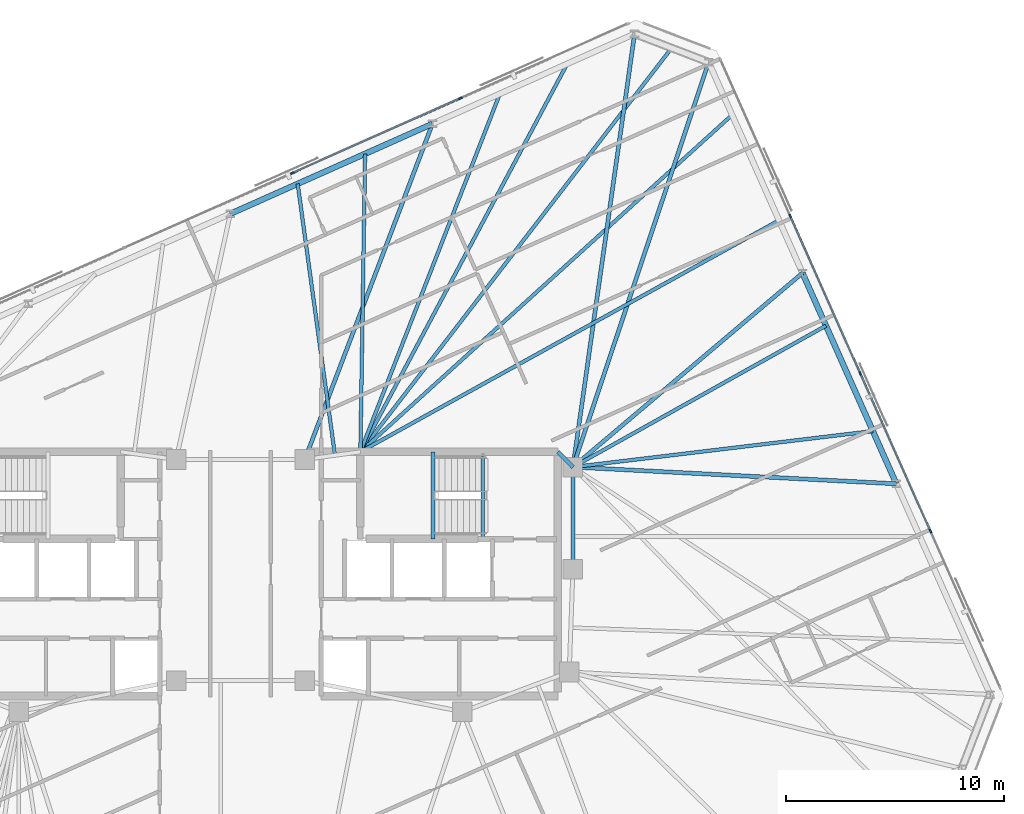
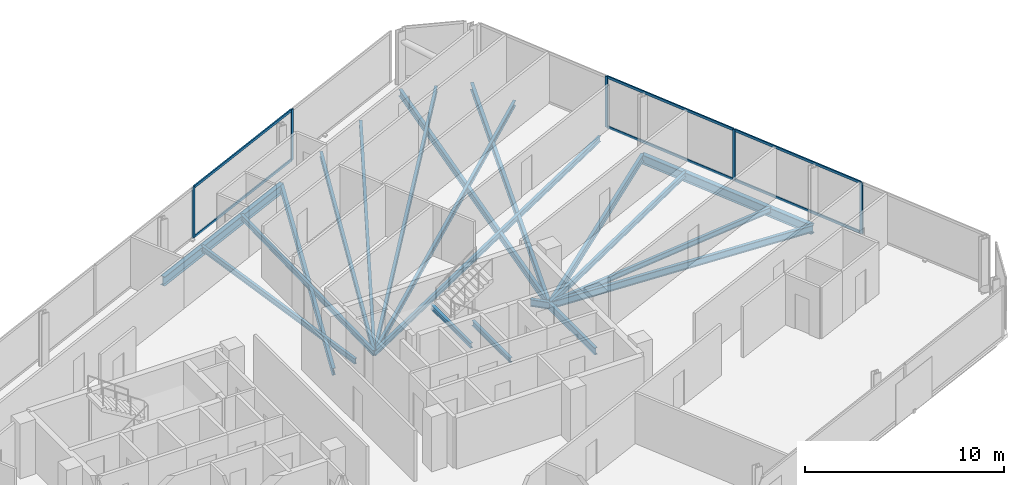
# One storey, part 10 of 19: 20 beams, 11 members, 2 elements without a shape of their own.
"""IFC4 building model written with IfcOpenShell, lengths in metres."""

from ifc_helpers import new_model, si_unit, direction, frame, origin, origin_2d, place, context, subcontext, project, spatial, rectangle, i_section, extrude, material, material_profile, profile_set, type_object, element, aggregate, save


model = new_model("IFC4")

# Units and contexts
model_context = context("Model", 3, precision=1e-05, world=origin(), true_north=direction((0.0, 1.0)))
body_context = subcontext(model_context, "Body", "Model", "MODEL_VIEW")
ifc_project = project(units=[si_unit("LENGTHUNIT", "METRE"), si_unit("AREAUNIT", "SQUARE_METRE"), si_unit("VOLUMEUNIT", "CUBIC_METRE"), si_unit("PLANEANGLEUNIT", "RADIAN"), si_unit("MASSUNIT", "GRAM", prefix="KILO")], contexts=[model_context])

# Site, building, storey
site_placement = place(None, origin())
site = spatial("IfcSite", under=ifc_project, at=site_placement, CompositionType="ELEMENT")
building_placement = place(site_placement, origin())
building = spatial("IfcBuilding", under=site, at=building_placement, Name="Menara Jurai Vektor", CompositionType="ELEMENT")
storey_placement = place(building_placement, frame((0.0, 0.0, 262.199951171875)))
storey = spatial("IfcBuildingStorey", under=building, at=storey_placement, Name="L70", CompositionType="ELEMENT", Elevation=262.199951171875)

# Curtain wall, members
ifc_material_1 = material(Name="Anodised Pale Aluminium & Low-E Double Glazing", Category="aluminium")
curtain_wall_type = type_object("IfcCurtainWallType", Name="CW-BLK5", PredefinedType="NOTDEFINED", material=ifc_material_1)
curtain_wall_1_placement = place(storey_placement, origin())
curtain_wall_1 = element("IfcCurtainWall", 1, at=curtain_wall_1_placement, inside=storey, type_object=curtain_wall_type, Name="Unitised Curtain Wall L70 F03", PredefinedType="NOTDEFINED")
ifc_material_2 = material(Name="Anodised Pale Aluminium Mullion", Category="aluminium")
ifc_material_profile_1 = material_profile(ifc_material_2, rectangle(XDim=0.074951171875, YDim=0.175048828125, at=origin_2d()), Name="ALU MUL 75x175")
ifc_profile_set_1 = profile_set([ifc_material_profile_1], Name="Anodised Pale Aluminium Mullion")
member_type_1 = type_object("IfcMemberType", Name="CW-BLK5-MUL", PredefinedType="MULLION", material=ifc_profile_set_1)
member_1_placement = place(storey_placement, frame((31.6533203125, 1.9658203125, 0.0), z_axis=(0.0, 0.0, 1.0), x_axis=(-0.913546127706, -0.406735138086, 0.0)))
member_1 = element("IfcMember", 2, at=member_1_placement, type_object=member_type_1, Name="CW-05 mullion 2", PredefinedType="MULLION", context=body_context, shape_type="SweptSolid", body=[
    extrude(rectangle(XDim=0.074951171875, YDim=0.175048828125, at=origin_2d()), origin(), (0.0, 0.0, 1.0), 3.125),
])
member_2_placement = place(storey_placement, frame((28.43603515625, 9.19189453125, 0.0), z_axis=(0.0, 0.0, 1.0), x_axis=(-0.913546127706, -0.406735138086, 0.0)))
member_2 = element("IfcMember", 3, at=member_2_placement, type_object=member_type_1, Name="CW-05 mullion 3", PredefinedType="MULLION", context=body_context, shape_type="SweptSolid", body=[
    extrude(rectangle(XDim=0.074951171875, YDim=0.175048828125, at=origin_2d()), origin(), (0.0, 0.0, 1.0), 3.125),
])
member_3_placement = place(storey_placement, frame((25.21875, 16.418212890625, 0.0), z_axis=(0.0, 0.0, 1.0), x_axis=(-0.913546127706, -0.406735138086, 0.0)))
member_3 = element("IfcMember", 4, at=member_3_placement, type_object=member_type_1, Name="CW-05 mullion 4", PredefinedType="MULLION", context=body_context, shape_type="SweptSolid", body=[
    extrude(rectangle(XDim=0.074951171875, YDim=0.175048828125, at=origin_2d()), origin(), (0.0, 0.0, 1.0), 3.125),
])

curtain_wall_2_placement = place(storey_placement, origin())
curtain_wall_2 = element("IfcCurtainWall", 5, at=curtain_wall_2_placement, inside=storey, type_object=curtain_wall_type, Name="Unitised Curtain Wall L70 F05", PredefinedType="NOTDEFINED")
member_4_placement = place(storey_placement, frame((10.0927734375, 21.822998046875, 0.0), z_axis=(0.0, 0.0, 1.0), x_axis=(0.406735498684, -0.913545967158, 0.0)))
member_4 = element("IfcMember", 6, at=member_4_placement, type_object=member_type_1, Name="CW-05 mullion 2", PredefinedType="MULLION", context=body_context, shape_type="SweptSolid", body=[
    extrude(rectangle(XDim=0.074951171875, YDim=0.175048828125, at=origin_2d()), origin(), (0.0, 0.0, 1.0), 3.125),
])
member_5_placement = place(storey_placement, frame((2.38232421875, 18.39013671875, 0.0), z_axis=(0.0, 0.0, 1.0), x_axis=(0.406735498684, -0.913545967158, 0.0)))
member_5 = element("IfcMember", 7, at=member_5_placement, type_object=member_type_1, Name="CW-05 mullion 3", PredefinedType="MULLION", context=body_context, shape_type="SweptSolid", body=[
    extrude(rectangle(XDim=0.074951171875, YDim=0.175048828125, at=origin_2d()), origin(), (0.0, 0.0, 1.0), 3.125),
])

# Member
ifc_material_3 = material(Name="Anodised Pale Aluminium Transom", Category="aluminium")
ifc_material_profile_2 = material_profile(ifc_material_3, rectangle(XDim=0.074951171875, YDim=0.155029296875, at=origin_2d()), Name="ALU TRN 75x155")
ifc_profile_set_2 = profile_set([ifc_material_profile_2], Name="Anodised Pale Aluminium Transom")
member_type_2 = type_object("IfcMemberType", Name="CW-BLK5-TRN", PredefinedType="USERDEFINED", material=ifc_profile_set_2)
member_6_placement = place(storey_placement, frame((31.63818359375, 2.0, 0.03759765625), z_axis=(-0.406731062496, 0.913547942256, 0.0), x_axis=(-0.913547942256, -0.406731062496, 0.0)))
member_6 = element("IfcMember", 8, at=member_6_placement, type_object=member_type_2, Name="CW-05 transom 2.1", ObjectType="TRANSOM", PredefinedType="USERDEFINED", context=body_context, shape_type="SweptSolid", body=[
    extrude(rectangle(XDim=0.074951171875, YDim=0.155029296875, at=origin_2d()), origin(), (0.0, 0.0, 1.0), 7.8349609375),
])

member_7_placement = place(storey_placement, frame((31.63818359375, 2.0, 3.087646484375), z_axis=(-0.406731062496, 0.913547942256, 0.0), x_axis=(-0.913547942256, -0.406731062496, 0.0)))
member_7 = element("IfcMember", 9, at=member_7_placement, type_object=member_type_2, Name="CW-05 transom 2.2", ObjectType="TRANSOM", PredefinedType="USERDEFINED", context=body_context, shape_type="SweptSolid", body=[
    extrude(rectangle(XDim=0.074951171875, YDim=0.155029296875, at=origin_2d()), origin(), (0.0, 0.0, 1.0), 7.8349609375),
])

member_8_placement = place(storey_placement, frame((28.4208984375, 9.226318359375, 0.03759765625), z_axis=(-0.40674264085, 0.913542787238, 0.0), x_axis=(-0.913542787238, -0.40674264085, 0.0)))
member_8 = element("IfcMember", 10, at=member_8_placement, type_object=member_type_2, Name="CW-05 transom 3.1", ObjectType="TRANSOM", PredefinedType="USERDEFINED", context=body_context, shape_type="SweptSolid", body=[
    extrude(rectangle(XDim=0.074951171875, YDim=0.155029296875, at=origin_2d()), origin(), (0.0, 0.0, 1.0), 7.8349609375),
])

member_9_placement = place(storey_placement, frame((28.4208984375, 9.226318359375, 3.087646484375), z_axis=(-0.40674264085, 0.913542787238, 0.0), x_axis=(-0.913542787238, -0.40674264085, 0.0)))
member_9 = element("IfcMember", 11, at=member_9_placement, type_object=member_type_2, Name="CW-05 transom 3.2", ObjectType="TRANSOM", PredefinedType="USERDEFINED", context=body_context, shape_type="SweptSolid", body=[
    extrude(rectangle(XDim=0.074951171875, YDim=0.155029296875, at=origin_2d()), origin(), (0.0, 0.0, 1.0), 7.8349609375),
])

aggregate(curtain_wall_1, [member_1, member_2, member_3, member_6, member_7, member_8, member_9])

member_10_placement = place(storey_placement, frame((10.058349609375, 21.807861328125, 0.03759765625), z_axis=(-0.913546575494, -0.406734132331, 0.0), x_axis=(0.406734132331, -0.913546575494, 0.0)))
member_10 = element("IfcMember", 12, at=member_10_placement, type_object=member_type_2, Name="CW-05 transom 2.1", ObjectType="TRANSOM", PredefinedType="USERDEFINED", context=body_context, shape_type="SweptSolid", body=[
    extrude(rectangle(XDim=0.074951171875, YDim=0.155029296875, at=origin_2d()), origin(), (0.0, 0.0, 1.0), 8.364990234375),
])

member_11_placement = place(storey_placement, frame((10.058349609375, 21.807861328125, 3.087646484375), z_axis=(-0.913546575494, -0.406734132331, 0.0), x_axis=(0.406734132331, -0.913546575494, 0.0)))
member_11 = element("IfcMember", 13, at=member_11_placement, type_object=member_type_2, Name="CW-05 transom 2.2", ObjectType="TRANSOM", PredefinedType="USERDEFINED", context=body_context, shape_type="SweptSolid", body=[
    extrude(rectangle(XDim=0.074951171875, YDim=0.155029296875, at=origin_2d()), origin(), (0.0, 0.0, 1.0), 8.364990234375),
])

aggregate(curtain_wall_2, [member_4, member_5, member_10, member_11])

# Beams
ifc_material_4 = material(Name="Steel S355", Category="steel")
ifc_material_profile_3 = material_profile(ifc_material_4, i_section(OverallWidth=0.18505859375, OverallDepth=0.429931640625, WebThickness=0.010986328125, FlangeThickness=0.01806640625, at=origin_2d()), Name="PG 430x185x76")
ifc_profile_set_3 = profile_set([ifc_material_profile_3], Name="Steel S355")
beam_type_1 = type_object("IfcBeamType", Name="STR-BM-430", PredefinedType="BEAM", material=ifc_profile_set_3)
beam_1_placement = place(storey_placement, frame((14.56005859375, 5.60009765625, -0.43994140625), z_axis=(0.701871936926, -0.712303154672, 0.0), x_axis=(0.712303154672, 0.701871936926, 0.0)))
element("IfcBeam", 14, at=beam_1_placement, inside=storey, type_object=beam_type_1, Name="Core Ring Header Girder L70-CHE-N2", PredefinedType="BEAM", context=body_context, shape_type="SweptSolid", body=[
    extrude(i_section(OverallWidth=0.18505859375, OverallDepth=0.429931640625, WebThickness=0.010986328125, FlangeThickness=0.01806640625, at=origin_2d()), origin(), (0.0, 0.0, 1.0), 0.98291015625),
])
beam_2_placement = place(storey_placement, frame((15.25, 0.219970703125, -0.43994140625), z_axis=(0.0, 1.0, 0.0), x_axis=(-1.0, 0.0, 0.0)))
element("IfcBeam", 15, at=beam_2_placement, inside=storey, type_object=beam_type_1, Name="Core Ring Header Girder L70-CHE-E1", PredefinedType="BEAM", context=body_context, shape_type="SweptSolid", body=[
    extrude(i_section(OverallWidth=0.18505859375, OverallDepth=0.429931640625, WebThickness=0.010986328125, FlangeThickness=0.01806640625, at=origin_2d()), origin(), (0.0, 0.0, 1.0), 4.679931640625),
])
beam_3_placement = place(storey_placement, frame((30.086181640625, 4.13330078125, -0.43994140625), z_axis=(-0.998667716832, 0.051602241782, 0.0), x_axis=(-0.051602241782, -0.998667716832, 0.0)))
element("IfcBeam", 16, at=beam_3_placement, inside=storey, type_object=beam_type_1, Name="Radial Floor Girder L70-E2", PredefinedType="BEAM", context=body_context, shape_type="SweptSolid", body=[
    extrude(i_section(OverallWidth=0.18505859375, OverallDepth=0.429931640625, WebThickness=0.010986328125, FlangeThickness=0.01806640625, at=origin_2d()), origin(), (0.0, 0.0, 1.0), 14.85595703125),
])
beam_4_placement = place(storey_placement, frame((25.781005859375, 13.80322265625, -0.43994140625), z_axis=(-0.763655500673, -0.6456239434, 0.0), x_axis=(0.6456239434, -0.763655500673, 0.0)))
element("IfcBeam", 17, at=beam_4_placement, inside=storey, type_object=beam_type_1, Name="Radial Floor Girder L70-E3", PredefinedType="BEAM", context=body_context, shape_type="SweptSolid", body=[
    extrude(i_section(OverallWidth=0.18505859375, OverallDepth=0.429931640625, WebThickness=0.010986328125, FlangeThickness=0.01806640625, at=origin_2d()), origin(), (0.0, 0.0, 1.0), 13.790283203125),
])
beam_5_placement = place(storey_placement, frame((21.4755859375, 23.473388671875, -0.43994140625), z_axis=(-0.317808893183, -0.948154790851, 0.0), x_axis=(0.948154790851, -0.317808893183, 0.0)))
element("IfcBeam", 18, at=beam_5_placement, inside=storey, type_object=beam_type_1, Name="Radial Floor Girder L70-E4", PredefinedType="BEAM", context=body_context, shape_type="SweptSolid", body=[
    extrude(i_section(OverallWidth=0.18505859375, OverallDepth=0.429931640625, WebThickness=0.010986328125, FlangeThickness=0.01806640625, at=origin_2d()), origin(), (0.0, 0.0, 1.0), 19.589111328125),
])
beam_6_placement = place(storey_placement, frame((18.07958984375, 24.777099609375, -0.43994140625), z_axis=(-0.140932755913, -0.990019170678, 0.0), x_axis=(0.990019170678, -0.140932755913, 0.0)))
element("IfcBeam", 19, at=beam_6_placement, inside=storey, type_object=beam_type_1, Name="Radial Floor Girder L70-N1", PredefinedType="BEAM", context=body_context, shape_type="SweptSolid", body=[
    extrude(i_section(OverallWidth=0.18505859375, OverallDepth=0.429931640625, WebThickness=0.010986328125, FlangeThickness=0.01806640625, at=origin_2d()), origin(), (0.0, 0.0, 1.0), 20.07763671875),
])
beam_7_placement = place(storey_placement, frame((8.805908203125, 20.648193359375, -0.43994140625), z_axis=(-0.355464051758, -0.934689952823, 0.0), x_axis=(0.934689952823, -0.355464051758, 0.0)))
element("IfcBeam", 20, at=beam_7_placement, inside=storey, type_object=beam_type_1, Name="Radial Floor Girder L70-N2", PredefinedType="BEAM", context=body_context, shape_type="SweptSolid", body=[
    extrude(i_section(OverallWidth=0.18505859375, OverallDepth=0.429931640625, WebThickness=0.010986328125, FlangeThickness=0.01806640625, at=origin_2d()), origin(), (0.0, 0.0, 1.0), 16.47412109375),
])
ifc_material_profile_4 = material_profile(ifc_material_4, i_section(OverallWidth=0.1650390625, OverallDepth=0.330078125, WebThickness=0.009033203125, FlangeThickness=0.013916015625, at=origin_2d()), Name="PG 330x165x46")
ifc_profile_set_4 = profile_set([ifc_material_profile_4], Name="Steel S355")
beam_type_2 = type_object("IfcBeamType", Name="STR-JS-330", PredefinedType="JOIST", material=ifc_profile_set_4)
beam_8_placement = place(storey_placement, frame((29.010009765625, 6.55078125, -0.389892578125), z_axis=(-0.992879589053, -0.119122296999, 0.0), x_axis=(0.119122296999, -0.992879589053, 0.0)))
element("IfcBeam", 21, at=beam_8_placement, inside=storey, type_object=beam_type_2, Name="Radial Secondary Floor Joist L70-JS10", PredefinedType="JOIST", context=body_context, shape_type="SweptSolid", body=[
    extrude(i_section(OverallWidth=0.1650390625, OverallDepth=0.330078125, WebThickness=0.009033203125, FlangeThickness=0.013916015625, at=origin_2d()), origin(), (0.0, 0.0, 1.0), 13.858642578125),
])
beam_9_placement = place(storey_placement, frame((26.857177734375, 11.3857421875, -0.389892578125), z_axis=(-0.872960269613, -0.487791315705, 0.0), x_axis=(0.487791315705, -0.872960269613, 0.0)))
element("IfcBeam", 22, at=beam_9_placement, inside=storey, type_object=beam_type_2, Name="Radial Secondary Floor Joist L70-JS11", PredefinedType="JOIST", context=body_context, shape_type="SweptSolid", body=[
    extrude(i_section(OverallWidth=0.1650390625, OverallDepth=0.330078125, WebThickness=0.009033203125, FlangeThickness=0.013916015625, at=origin_2d()), origin(), (0.0, 0.0, 1.0), 13.29638671875),
])
beam_10_placement = place(storey_placement, frame((24.70458984375, 16.220703125, -0.389892578125), z_axis=(-0.87509599458, -0.483949377797, 0.0), x_axis=(0.483949377797, -0.87509599458, 0.0)))
element("IfcBeam", 23, at=beam_10_placement, inside=storey, type_object=beam_type_2, Name="Radial Secondary Floor Joist L70-JS12", PredefinedType="JOIST", context=body_context, shape_type="SweptSolid", body=[
    extrude(i_section(OverallWidth=0.1650390625, OverallDepth=0.330078125, WebThickness=0.009033203125, FlangeThickness=0.013916015625, at=origin_2d()), origin(), (0.0, 0.0, 1.0), 21.94580078125),
])
beam_11_placement = place(storey_placement, frame((22.552001953125, 21.055908203125, -0.389892578125), z_axis=(-0.74093432875, -0.67157748658, 0.0), x_axis=(0.67157748658, -0.74093432875, 0.0)))
element("IfcBeam", 24, at=beam_11_placement, inside=storey, type_object=beam_type_2, Name="Radial Secondary Floor Joist L70-JS13", PredefinedType="JOIST", context=body_context, shape_type="SweptSolid", body=[
    extrude(i_section(OverallWidth=0.1650390625, OverallDepth=0.330078125, WebThickness=0.009033203125, FlangeThickness=0.013916015625, at=origin_2d()), origin(), (0.0, 0.0, 1.0), 23.01416015625),
])
beam_12_placement = place(storey_placement, frame((19.777587890625, 24.125244140625, -0.389892578125), z_axis=(-0.610448519134, -0.792055935832, 0.0), x_axis=(0.792055935832, -0.610448519134, 0.0)))
element("IfcBeam", 25, at=beam_12_placement, inside=storey, type_object=beam_type_2, Name="Radial Secondary Floor Joist L70-JS14", PredefinedType="JOIST", context=body_context, shape_type="SweptSolid", body=[
    extrude(i_section(OverallWidth=0.1650390625, OverallDepth=0.330078125, WebThickness=0.009033203125, FlangeThickness=0.013916015625, at=origin_2d()), origin(), (0.0, 0.0, 1.0), 23.388671875),
])
beam_13_placement = place(storey_placement, frame((14.98828125, 23.400634765625, -0.389892578125), z_axis=(-0.470382173413, -0.882462809945, 0.0), x_axis=(0.882462809945, -0.470382173413, 0.0)))
element("IfcBeam", 26, at=beam_13_placement, inside=storey, type_object=beam_type_2, Name="Radial Secondary Floor Joist L70-JS15", PredefinedType="JOIST", context=body_context, shape_type="SweptSolid", body=[
    extrude(i_section(OverallWidth=0.1650390625, OverallDepth=0.330078125, WebThickness=0.009033203125, FlangeThickness=0.013916015625, at=origin_2d()), origin(), (0.0, 0.0, 1.0), 20.17138671875),
])
beam_14_placement = place(storey_placement, frame((11.897216796875, 22.0244140625, -0.389892578125), z_axis=(-0.36293816309, -0.931813226872, 0.0), x_axis=(0.931813226872, -0.36293816309, 0.0)))
element("IfcBeam", 27, at=beam_14_placement, inside=storey, type_object=beam_type_2, Name="Radial Secondary Floor Joist L70-JS16", PredefinedType="JOIST", context=body_context, shape_type="SweptSolid", body=[
    extrude(i_section(OverallWidth=0.1650390625, OverallDepth=0.330078125, WebThickness=0.009033203125, FlangeThickness=0.013916015625, at=origin_2d()), origin(), (0.0, 0.0, 1.0), 17.626220703125),
])
beam_15_placement = place(storey_placement, frame((5.71484375, 19.27197265625, -0.389892578125), z_axis=(-0.01571234584, -0.999876553475, 0.0), x_axis=(0.999876553475, -0.01571234584, 0.0)))
element("IfcBeam", 28, at=beam_15_placement, inside=storey, type_object=beam_type_2, Name="Radial Secondary Floor Joist L70-JS17", PredefinedType="JOIST", context=body_context, shape_type="SweptSolid", body=[
    extrude(i_section(OverallWidth=0.1650390625, OverallDepth=0.330078125, WebThickness=0.009033203125, FlangeThickness=0.013916015625, at=origin_2d()), origin(), (0.0, 0.0, 1.0), 13.673583984375),
])
beam_16_placement = place(storey_placement, frame((2.62353515625, 17.8955078125, -0.389892578125), z_axis=(0.13599011119, -0.990710194587, 0.0), x_axis=(0.990710194587, 0.13599011119, 0.0)))
element("IfcBeam", 29, at=beam_16_placement, inside=storey, type_object=beam_type_2, Name="Radial Secondary Floor Joist L70-JS18", PredefinedType="JOIST", context=body_context, shape_type="SweptSolid", body=[
    extrude(i_section(OverallWidth=0.1650390625, OverallDepth=0.330078125, WebThickness=0.009033203125, FlangeThickness=0.013916015625, at=origin_2d()), origin(), (0.0, 0.0, 1.0), 12.572265625),
])
ifc_material_profile_5 = material_profile(ifc_material_4, i_section(OverallWidth=0.1650390625, OverallDepth=0.302978515625, WebThickness=0.006103515625, FlangeThickness=0.010009765625, FilletRadius=0.009033203125, at=origin_2d()), Name="UKB 305x165x40")
ifc_profile_set_5 = profile_set([ifc_material_profile_5], Name="Steel S355")
beam_type_3 = type_object("IfcBeamType", Name="STR-LN-305", PredefinedType="LINTEL", material=ifc_profile_set_5)
beam_17_placement = place(storey_placement, frame((11.1201171875, 1.60009765625, -0.37646484375), z_axis=(0.0, 1.0, 0.0), x_axis=(-1.0, 0.0, 0.0)))
element("IfcBeam", 30, at=beam_17_placement, inside=storey, type_object=beam_type_3, Name="Stair Well Floor Trimmer ST2 L70", PredefinedType="LINTEL", context=body_context, shape_type="SweptSolid", body=[
    extrude(i_section(OverallWidth=0.1650390625, OverallDepth=0.302978515625, WebThickness=0.006103515625, FlangeThickness=0.010009765625, FilletRadius=0.009033203125, at=origin_2d()), origin(), (0.0, 0.0, 1.0), 3.81982421875),
])
beam_18_placement = place(storey_placement, frame((8.830078125, 1.60009765625, 1.323486328125), z_axis=(0.0, 1.0, 0.0), x_axis=(-1.0, 0.0, 0.0)))
element("IfcBeam", 31, at=beam_18_placement, inside=storey, type_object=beam_type_3, Name="Stair Half-Landing Nosing Trimmer ST2-1 L70", PredefinedType="LINTEL", context=body_context, shape_type="SweptSolid", body=[
    extrude(i_section(OverallWidth=0.1650390625, OverallDepth=0.302978515625, WebThickness=0.006103515625, FlangeThickness=0.010009765625, FilletRadius=0.009033203125, at=origin_2d()), origin(), (0.0, 0.0, 1.0), 4.0),
])
ifc_material_profile_6 = material_profile(ifc_material_4, i_section(OverallWidth=0.260009765625, OverallDepth=0.570068359375, WebThickness=0.013916015625, FlangeThickness=0.02392578125, at=origin_2d()), Name="PG 570x260x145")
ifc_profile_set_6 = profile_set([ifc_material_profile_6], Name="Steel S355")
beam_type_4 = type_object("IfcBeamType", Name="STR-SP-570", PredefinedType="SPANDREL", material=ifc_profile_set_6)
beam_19_placement = place(storey_placement, frame((30.086181640625, 4.13330078125, -0.510009765625), z_axis=(-0.406724751578, 0.913550751986, 0.0), x_axis=(-0.913550751986, -0.406724751578, 0.0)))
element("IfcBeam", 32, at=beam_19_placement, inside=storey, type_object=beam_type_4, Name="Exoskeleton Spandrel Beam L70-08", PredefinedType="SPANDREL", context=body_context, shape_type="SweptSolid", body=[
    extrude(i_section(OverallWidth=0.260009765625, OverallDepth=0.570068359375, WebThickness=0.013916015625, FlangeThickness=0.02392578125, at=origin_2d()), origin(), (0.0, 0.0, 1.0), 10.5849609375),
])
beam_20_placement = place(storey_placement, frame((8.805908203125, 20.648193359375, -0.510009765625), z_axis=(-0.913541582548, -0.406745346568, 0.0), x_axis=(0.406745346568, -0.913541582548, 0.0)))
element("IfcBeam", 33, at=beam_20_placement, inside=storey, type_object=beam_type_4, Name="Exoskeleton Spandrel Beam L70-12", PredefinedType="SPANDREL", context=body_context, shape_type="SweptSolid", body=[
    extrude(i_section(OverallWidth=0.260009765625, OverallDepth=0.570068359375, WebThickness=0.013916015625, FlangeThickness=0.02392578125, at=origin_2d()), origin(), (0.0, 0.0, 1.0), 10.151123046875),
])

save(model, "model.ifc")
